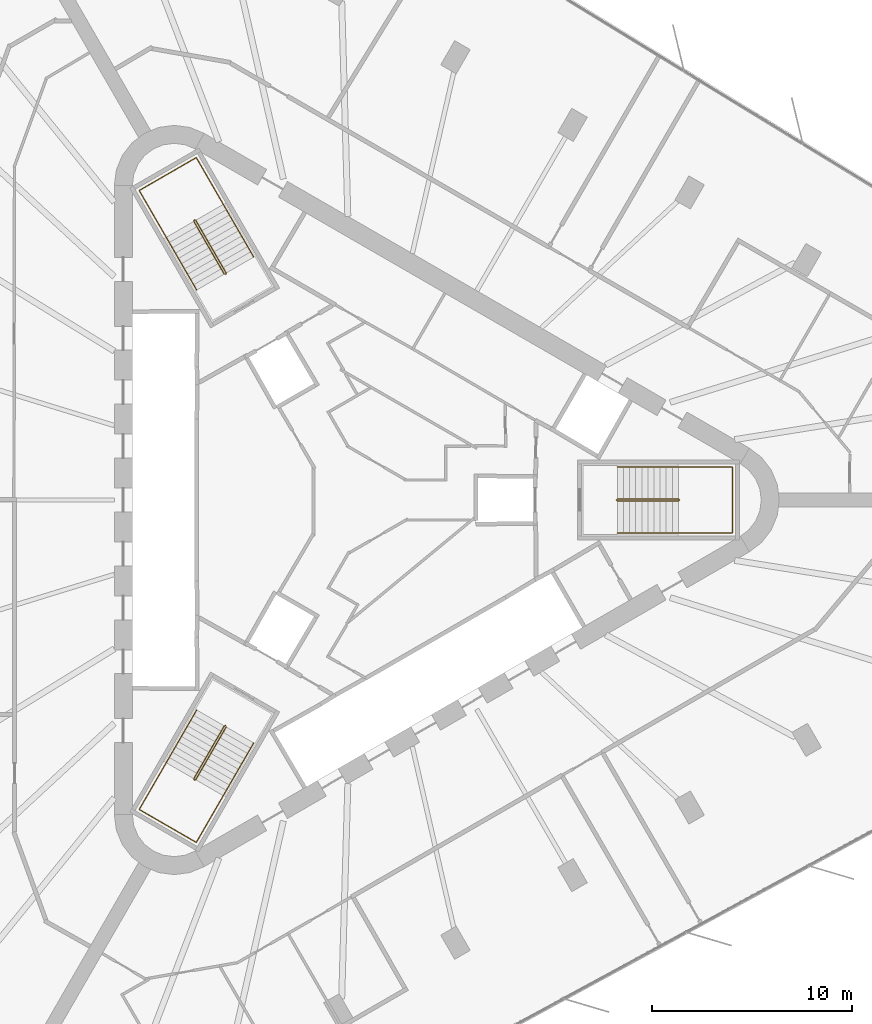
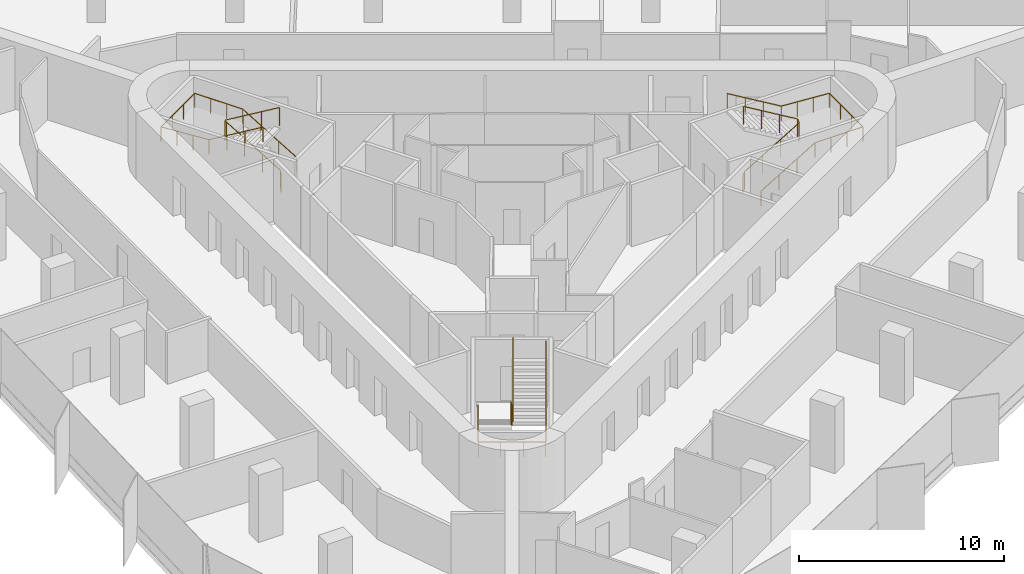
# One storey, part 14 of 14: 6 railings.
"""IFC4 building model written with IfcOpenShell, lengths in metres."""

from ifc_helpers import new_model, si_unit, direction, frame, origin, origin_2d, place, context, subcontext, project, spatial, circle, extrude, material, type_object, element, save


model = new_model("IFC4")

# Units and contexts
model_context = context("Model", 3, precision=1e-05, world=origin(), true_north=direction((0.0, 1.0)))
body_context = subcontext(model_context, "Body", "Model", "MODEL_VIEW")
ifc_project = project(units=[si_unit("LENGTHUNIT", "METRE"), si_unit("AREAUNIT", "SQUARE_METRE"), si_unit("VOLUMEUNIT", "CUBIC_METRE"), si_unit("PLANEANGLEUNIT", "RADIAN"), si_unit("MASSUNIT", "GRAM", prefix="KILO")], contexts=[model_context])

# Site, building, storey
site_placement = place(None, origin())
site = spatial("IfcSite", under=ifc_project, at=site_placement, CompositionType="ELEMENT")
building_placement = place(site_placement, origin())
building = spatial("IfcBuilding", under=site, at=building_placement, Name="Tanit Gate Tower", CompositionType="ELEMENT")
storey_placement = place(building_placement, frame((0.0, 0.0, 241.199951171875)))
storey = spatial("IfcBuildingStorey", under=building, at=storey_placement, Name="L54", CompositionType="ELEMENT", Elevation=241.199951171875)

# Railings
ifc_material_1 = material(Name="Stainless steel balustrade", Category="steel")
railing_type_1 = type_object("IfcRailingType", Name="INT-STAIR-GUARD", PredefinedType="GUARDRAIL", material=ifc_material_1)
railing_1_placement = place(storey_placement, frame((13.044921875, 0.0048828125, 0.0)))
element("IfcRailing", 1, at=railing_1_placement, inside=storey, type_object=railing_type_1, Name="L54 S1 stair guard 1", PredefinedType="GUARDRAIL", context=body_context, shape_type="SweptSolid", body=[
    extrude(circle(Radius=0.02392578125, at=origin_2d()), frame((0.0, 0.0, 1.076171875), z_axis=(0.0, -1.0, 0.0), x_axis=(1.0, 0.0, 0.0)), (0.0, 0.0, 1.0), 0.009765625),
    extrude(circle(Radius=0.02392578125, at=origin_2d()), frame((0.0, -0.009765625, 1.076171875), z_axis=(0.256435381639, -0.256435381639, 0.931923704005), x_axis=(0.707106781187, 0.707106781187, 0.0)), (0.0, 0.0, 1.0), 0.195068359375),
    extrude(circle(Radius=0.02392578125, at=origin_2d()), frame((0.050048828125, -0.059814453125, 1.2578125), z_axis=(0.859041732319, 0.0, 0.511905559781), x_axis=(0.0, 1.0, 0.0)), (0.0, 0.0, 1.0), 3.5517578125),
    extrude(circle(Radius=0.02392578125, at=origin_2d()), frame((3.10107421875, -0.059814453125, 3.076171875), z_axis=(0.707106781187, 0.707106781187, 0.0), x_axis=(-0.707106781187, 0.707106781187, 0.0)), (0.0, 0.0, 1.0), 0.07080078125),
    extrude(circle(Radius=0.02392578125, at=origin_2d()), frame((3.151123046875, -0.009765625, 3.076171875), z_axis=(0.0, 1.0, 0.0), x_axis=(-1.0, 0.0, 0.0)), (0.0, 0.0, 1.0), 0.009765625),
    extrude(circle(Radius=0.02392578125, at=origin_2d()), frame((3.151123046875, 0.0, 3.076171875), z_axis=(-0.256435381639, 0.256435381639, 0.931923704005), x_axis=(-0.707106781187, -0.707106781187, 0.0)), (0.0, 0.0, 1.0), 0.195068359375),
    extrude(circle(Radius=0.02392578125, at=origin_2d()), frame((3.10107421875, 0.050048828125, 3.2578125), z_axis=(-0.859041732319, 0.0, 0.511905559781), x_axis=(0.0, -1.0, 0.0)), (0.0, 0.0, 1.0), 3.5517578125),
    extrude(circle(Radius=0.02099609375, at=origin_2d()), origin(), (0.0, 0.0, 1.0), 1.052001953125),
    extrude(circle(Radius=0.02099609375, at=origin_2d()), frame((0.0, -0.009765625, 0.0)), (0.0, 0.0, 1.0), 1.052001953125),
    extrude(circle(Radius=0.02099609375, at=origin_2d()), frame((0.050048828125, -0.059814453125, 0.181884765625)), (0.0, 0.0, 1.0), 1.052001953125),
    extrude(circle(Radius=0.02099609375, at=origin_2d()), frame((1.067138671875, -0.059814453125, 0.787841796875)), (0.0, 0.0, 1.0), 1.052001953125),
    extrude(circle(Radius=0.02099609375, at=origin_2d()), frame((2.083984375, -0.059814453125, 1.39404296875)), (0.0, 0.0, 1.0), 1.052001953125),
    extrude(circle(Radius=0.02099609375, at=origin_2d()), frame((3.10107421875, -0.059814453125, 2.0)), (0.0, 0.0, 1.0), 1.052001953125),
    extrude(circle(Radius=0.02099609375, at=origin_2d()), frame((3.151123046875, -0.009765625, 2.0)), (0.0, 0.0, 1.0), 1.052001953125),
    extrude(circle(Radius=0.02099609375, at=origin_2d()), frame((3.151123046875, 0.0, 2.0)), (0.0, 0.0, 1.0), 1.052001953125),
    extrude(circle(Radius=0.02099609375, at=origin_2d()), frame((3.10107421875, 0.050048828125, 2.181884765625)), (0.0, 0.0, 1.0), 1.052001953125),
    extrude(circle(Radius=0.02099609375, at=origin_2d()), frame((2.083984375, 0.050048828125, 2.787841796875)), (0.0, 0.0, 1.0), 1.052001953125),
    extrude(circle(Radius=0.02099609375, at=origin_2d()), frame((1.067138671875, 0.050048828125, 3.39404296875)), (0.0, 0.0, 1.0), 1.052001953125),
    extrude(circle(Radius=0.02099609375, at=origin_2d()), frame((0.050048828125, 0.050048828125, 4.0)), (0.0, 0.0, 1.0), 1.052001953125),
])
railing_2_placement = place(storey_placement, frame((-6.527099609375, 11.29345703125, 0.0)))
element("IfcRailing", 2, at=railing_2_placement, inside=storey, type_object=railing_type_1, Name="L54 S2 stair guard 1", PredefinedType="GUARDRAIL", context=body_context, shape_type="SweptSolid", body=[
    extrude(circle(Radius=0.02392578125, at=origin_2d()), frame((0.0, 0.0, 1.076171875), z_axis=(0.868243142124, 0.496138938357, 0.0), x_axis=(-0.496138938357, 0.868243142124, 0.0)), (0.0, 0.0, 1.0), 0.01171875),
    extrude(circle(Radius=0.02392578125, at=origin_2d()), frame((0.01025390625, 0.005859375, 1.076171875), z_axis=(0.093819657636, 0.350260055175, 0.93194193252), x_axis=(-0.965948051503, 0.258736085224, 0.0)), (0.0, 0.0, 1.0), 0.195068359375),
    extrude(circle(Radius=0.02392578125, at=origin_2d()), frame((0.028564453125, 0.07421875, 1.2578125), z_axis=(-0.429472220917, 0.743822504634, 0.512134448226), x_axis=(-0.866012246495, -0.500022788402, 0.0)), (0.0, 0.0, 1.0), 3.550048828125),
    extrude(circle(Radius=0.02392578125, at=origin_2d()), frame((-1.49609375, 2.71484375, 3.076171875), z_axis=(-0.965715946433, 0.259601060869, 0.0), x_axis=(-0.259601060869, -0.965715946433, 0.0)), (0.0, 0.0, 1.0), 0.070556640625),
    extrude(circle(Radius=0.02392578125, at=origin_2d()), frame((-1.564208984375, 2.733154296875, 3.076171875), z_axis=(-0.873197702015, -0.487366159264, 0.0), x_axis=(0.487366159264, -0.873197702015, 0.0)), (0.0, 0.0, 1.0), 0.011962890625),
    extrude(circle(Radius=0.02392578125, at=origin_2d()), frame((-1.57470703125, 2.727294921875, 3.076171875), z_axis=(-0.093819657636, -0.350260055175, 0.93194193252), x_axis=(0.965948051503, -0.258736085224, 0.0)), (0.0, 0.0, 1.0), 0.195068359375),
    extrude(circle(Radius=0.02392578125, at=origin_2d()), frame((-1.593017578125, 2.658935546875, 3.2578125), z_axis=(0.429472220917, -0.743822504634, 0.512134448226), x_axis=(0.866012246495, 0.500022788402, 0.0)), (0.0, 0.0, 1.0), 3.550048828125),
    extrude(circle(Radius=0.02099609375, at=origin_2d()), origin(), (0.0, 0.0, 1.0), 1.052001953125),
    extrude(circle(Radius=0.02099609375, at=origin_2d()), frame((0.01025390625, 0.005859375, 0.0)), (0.0, 0.0, 1.0), 1.052001953125),
    extrude(circle(Radius=0.02099609375, at=origin_2d()), frame((0.028564453125, 0.07421875, 0.181884765625)), (0.0, 0.0, 1.0), 1.052001953125),
    extrude(circle(Radius=0.02099609375, at=origin_2d()), frame((-0.479736328125, 0.954345703125, 0.787841796875)), (0.0, 0.0, 1.0), 1.052001953125),
    extrude(circle(Radius=0.02099609375, at=origin_2d()), frame((-0.98779296875, 1.834716796875, 1.39404296875)), (0.0, 0.0, 1.0), 1.052001953125),
    extrude(circle(Radius=0.02099609375, at=origin_2d()), frame((-1.49609375, 2.71484375, 2.0)), (0.0, 0.0, 1.0), 1.052001953125),
    extrude(circle(Radius=0.02099609375, at=origin_2d()), frame((-1.564208984375, 2.733154296875, 2.0)), (0.0, 0.0, 1.0), 1.052001953125),
    extrude(circle(Radius=0.02099609375, at=origin_2d()), frame((-1.57470703125, 2.727294921875, 2.0)), (0.0, 0.0, 1.0), 1.052001953125),
    extrude(circle(Radius=0.02099609375, at=origin_2d()), frame((-1.593017578125, 2.658935546875, 2.181884765625)), (0.0, 0.0, 1.0), 1.052001953125),
    extrude(circle(Radius=0.02099609375, at=origin_2d()), frame((-1.084716796875, 1.77880859375, 2.787841796875)), (0.0, 0.0, 1.0), 1.052001953125),
    extrude(circle(Radius=0.02099609375, at=origin_2d()), frame((-0.57666015625, 0.8984375, 3.39404296875)), (0.0, 0.0, 1.0), 1.052001953125),
    extrude(circle(Radius=0.02099609375, at=origin_2d()), frame((-0.068359375, 0.018310546875, 4.0)), (0.0, 0.0, 1.0), 1.052001953125),
])
railing_3_placement = place(storey_placement, frame((-6.51806640625, -11.2998046875, 0.0)))
element("IfcRailing", 3, at=railing_3_placement, inside=storey, type_object=railing_type_1, Name="L54 S3 stair guard 1", PredefinedType="GUARDRAIL", context=body_context, shape_type="SweptSolid", body=[
    extrude(circle(Radius=0.02392578125, at=origin_2d()), frame((0.0, 0.0, 1.076171875), z_axis=(-0.874157276122, 0.485642931179, 0.0), x_axis=(-0.485642931179, -0.874157276122, 0.0)), (0.0, 0.0, 1.0), 0.010009765625),
    extrude(circle(Radius=0.02392578125, at=origin_2d()), frame((-0.0087890625, 0.0048828125, 1.076171875), z_axis=(-0.350300895388, -0.092579522353, 0.932050596658), x_axis=(0.255512919477, -0.966805641264, 0.0)), (0.0, 0.0, 1.0), 0.195068359375),
    extrude(circle(Radius=0.02392578125, at=origin_2d()), frame((-0.0771484375, -0.01318359375, 1.2578125), z_axis=(-0.429486674828, -0.743971555965, 0.511905772639), x_axis=(0.866048339477, -0.499960272111, 0.0)), (0.0, 0.0, 1.0), 3.5517578125),
    extrude(circle(Radius=0.02392578125, at=origin_2d()), frame((-1.6025390625, -2.655517578125, 3.076171875), z_axis=(0.258736085224, -0.965948051503, 0.0), x_axis=(0.965948051503, 0.258736085224, 0.0)), (0.0, 0.0, 1.0), 0.07080078125),
    extrude(circle(Radius=0.02392578125, at=origin_2d()), frame((-1.584228515625, -2.723876953125, 3.076171875), z_axis=(0.868243142124, -0.496138938357, 0.0), x_axis=(0.496138938357, 0.868243142124, 0.0)), (0.0, 0.0, 1.0), 0.009765625),
    extrude(circle(Radius=0.02392578125, at=origin_2d()), frame((-1.57568359375, -2.728759765625, 3.076171875), z_axis=(0.350260055175, 0.093819657636, 0.93194193252), x_axis=(-0.258736085224, 0.965948051503, 0.0)), (0.0, 0.0, 1.0), 0.195068359375),
    extrude(circle(Radius=0.02392578125, at=origin_2d()), frame((-1.50732421875, -2.71044921875, 3.2578125), z_axis=(0.429564698942, 0.743918894535, 0.511916836777), x_axis=(-0.865993683553, 0.500054937028, 0.0)), (0.0, 0.0, 1.0), 3.551513671875),
    extrude(circle(Radius=0.02099609375, at=origin_2d()), origin(), (0.0, 0.0, 1.0), 1.052001953125),
    extrude(circle(Radius=0.02099609375, at=origin_2d()), frame((-0.0087890625, 0.0048828125, 0.0)), (0.0, 0.0, 1.0), 1.052001953125),
    extrude(circle(Radius=0.02099609375, at=origin_2d()), frame((-0.0771484375, -0.01318359375, 0.181884765625)), (0.0, 0.0, 1.0), 1.052001953125),
    extrude(circle(Radius=0.02099609375, at=origin_2d()), frame((-0.585693359375, -0.89404296875, 0.787841796875)), (0.0, 0.0, 1.0), 1.052001953125),
    extrude(circle(Radius=0.02099609375, at=origin_2d()), frame((-1.093994140625, -1.774658203125, 1.39404296875)), (0.0, 0.0, 1.0), 1.052001953125),
    extrude(circle(Radius=0.02099609375, at=origin_2d()), frame((-1.6025390625, -2.655517578125, 2.0)), (0.0, 0.0, 1.0), 1.052001953125),
    extrude(circle(Radius=0.02099609375, at=origin_2d()), frame((-1.584228515625, -2.723876953125, 2.0)), (0.0, 0.0, 1.0), 1.052001953125),
    extrude(circle(Radius=0.02099609375, at=origin_2d()), frame((-1.57568359375, -2.728759765625, 2.0)), (0.0, 0.0, 1.0), 1.052001953125),
    extrude(circle(Radius=0.02099609375, at=origin_2d()), frame((-1.50732421875, -2.71044921875, 2.181884765625)), (0.0, 0.0, 1.0), 1.052001953125),
    extrude(circle(Radius=0.02099609375, at=origin_2d()), frame((-0.998779296875, -1.829833984375, 2.787841796875)), (0.0, 0.0, 1.0), 1.052001953125),
    extrude(circle(Radius=0.02099609375, at=origin_2d()), frame((-0.490234375, -0.948974609375, 3.39404296875)), (0.0, 0.0, 1.0), 1.052001953125),
    extrude(circle(Radius=0.02099609375, at=origin_2d()), frame((0.018310546875, -0.068359375, 4.0)), (0.0, 0.0, 1.0), 1.052001953125),
])
ifc_material_2 = material(Name="Stainless steel handrail", Category="steel")
railing_type_2 = type_object("IfcRailingType", Name="INT-STAIR-HANDRAIL", PredefinedType="HANDRAIL", material=ifc_material_2)
railing_4_placement = place(storey_placement, frame((13.094970703125, -1.64990234375, 0.181884765625)))
element("IfcRailing", 4, at=railing_4_placement, inside=storey, type_object=railing_type_2, Name="L54 S1 stair handrail 1", PredefinedType="HANDRAIL", context=body_context, shape_type="SweptSolid", body=[
    extrude(circle(Radius=0.02392578125, at=origin_2d()), frame((0.0, 0.0, 0.8759765625), z_axis=(0.859041732319, 0.0, 0.511905559781), x_axis=(0.0, 1.0, 0.0)), (0.0, 0.0, 1.0), 3.5517578125),
    extrude(circle(Radius=0.02392578125, at=origin_2d()), frame((3.051025390625, 0.0, 2.69384765625), z_axis=(1.0, 0.0, 0.0), x_axis=(0.0, 1.0, 0.0)), (0.0, 0.0, 1.0), 2.7041015625),
    extrude(circle(Radius=0.02392578125, at=origin_2d()), frame((5.755126953125, 0.0, 2.69384765625), z_axis=(0.0, 1.0, 0.0), x_axis=(-1.0, 0.0, 0.0)), (0.0, 0.0, 1.0), 3.2998046875),
    extrude(circle(Radius=0.02392578125, at=origin_2d()), frame((5.755126953125, 3.2998046875, 2.69384765625), z_axis=(-0.997745521698, 0.0, 0.067110907698), x_axis=(0.0, -1.0, 0.0)), (0.0, 0.0, 1.0), 2.710205078125),
    extrude(circle(Radius=0.02392578125, at=origin_2d()), frame((3.051025390625, 3.2998046875, 2.8759765625), z_axis=(-0.859041732319, 0.0, 0.511905559781), x_axis=(0.0, -1.0, 0.0)), (0.0, 0.0, 1.0), 3.5517578125),
    extrude(circle(Radius=0.02099609375, at=origin_2d()), origin(), (0.0, 0.0, 1.0), 0.851806640625),
    extrude(circle(Radius=0.02099609375, at=origin_2d()), frame((1.01708984375, 0.0, 0.60595703125)), (0.0, 0.0, 1.0), 0.851806640625),
    extrude(circle(Radius=0.02099609375, at=origin_2d()), frame((2.033935546875, 0.0, 1.212158203125)), (0.0, 0.0, 1.0), 0.851806640625),
    extrude(circle(Radius=0.02099609375, at=origin_2d()), frame((3.051025390625, 0.0, 1.818115234375)), (0.0, 0.0, 1.0), 0.851806640625),
    extrude(circle(Radius=0.02099609375, at=origin_2d()), frame((3.952392578125, 0.0, 1.818115234375)), (0.0, 0.0, 1.0), 0.851806640625),
    extrude(circle(Radius=0.02099609375, at=origin_2d()), frame((4.853759765625, 0.0, 1.818115234375)), (0.0, 0.0, 1.0), 0.851806640625),
    extrude(circle(Radius=0.02099609375, at=origin_2d()), frame((5.755126953125, 0.0, 1.818115234375)), (0.0, 0.0, 1.0), 0.851806640625),
    extrude(circle(Radius=0.02099609375, at=origin_2d()), frame((5.755126953125, 1.099853515625, 1.818115234375)), (0.0, 0.0, 1.0), 0.851806640625),
    extrude(circle(Radius=0.02099609375, at=origin_2d()), frame((5.755126953125, 2.199951171875, 1.818115234375)), (0.0, 0.0, 1.0), 0.851806640625),
    extrude(circle(Radius=0.02099609375, at=origin_2d()), frame((5.755126953125, 3.2998046875, 1.818115234375)), (0.0, 0.0, 1.0), 0.851806640625),
    extrude(circle(Radius=0.02099609375, at=origin_2d()), frame((4.853759765625, 3.2998046875, 1.878662109375)), (0.0, 0.0, 1.0), 0.851806640625),
    extrude(circle(Radius=0.02099609375, at=origin_2d()), frame((3.952392578125, 3.2998046875, 1.939453125)), (0.0, 0.0, 1.0), 0.851806640625),
    extrude(circle(Radius=0.02099609375, at=origin_2d()), frame((3.051025390625, 3.2998046875, 2.0)), (0.0, 0.0, 1.0), 0.851806640625),
    extrude(circle(Radius=0.02099609375, at=origin_2d()), frame((2.033935546875, 3.2998046875, 2.60595703125)), (0.0, 0.0, 1.0), 0.851806640625),
    extrude(circle(Radius=0.02099609375, at=origin_2d()), frame((1.01708984375, 3.2998046875, 3.212158203125)), (0.0, 0.0, 1.0), 0.851806640625),
    extrude(circle(Radius=0.02099609375, at=origin_2d()), frame((0.0, 3.2998046875, 3.818115234375)), (0.0, 0.0, 1.0), 0.851806640625),
])
railing_5_placement = place(storey_placement, frame((-5.1181640625, 12.164794921875, 0.181884765625)))
element("IfcRailing", 5, at=railing_5_placement, inside=storey, type_object=railing_type_2, Name="L54 S2 stair handrail 1", PredefinedType="HANDRAIL", context=body_context, shape_type="SweptSolid", body=[
    extrude(circle(Radius=0.02392578125, at=origin_2d()), frame((0.0, 0.0, 0.8759765625), z_axis=(-0.429416132344, 0.743844472684, 0.512149573602), x_axis=(-0.866046917185, -0.499962735845, 0.0)), (0.0, 0.0, 1.0), 3.550048828125),
    extrude(circle(Radius=0.02392578125, at=origin_2d()), frame((-1.5244140625, 2.640625, 2.69384765625), z_axis=(-0.500019123664, 0.86601436245, 0.0), x_axis=(-0.86601436245, -0.500019123664, 0.0)), (0.0, 0.0, 1.0), 2.70703125),
    extrude(circle(Radius=0.02392578125, at=origin_2d()), frame((-2.8779296875, 4.98486328125, 2.69384765625), z_axis=(-0.866008176907, -0.50002983664, 0.0), x_axis=(0.50002983664, -0.866008176907, 0.0)), (0.0, 0.0, 1.0), 3.300048828125),
    extrude(circle(Radius=0.02392578125, at=origin_2d()), frame((-5.73583984375, 3.334716796875, 2.69384765625), z_axis=(0.498932980467, -0.864043208057, 0.067046369128), x_axis=(0.865991810323, 0.500058181068, 0.0)), (0.0, 0.0, 1.0), 2.712890625),
    extrude(circle(Radius=0.02392578125, at=origin_2d()), frame((-4.38232421875, 0.99072265625, 2.8759765625), z_axis=(0.429450252752, -0.743853224023, 0.512108251761), x_axis=(0.866032263162, 0.499988119021, 0.0)), (0.0, 0.0, 1.0), 3.55029296875),
    extrude(circle(Radius=0.02099609375, at=origin_2d()), origin(), (0.0, 0.0, 1.0), 0.851806640625),
    extrude(circle(Radius=0.02099609375, at=origin_2d()), frame((-0.508056640625, 0.880126953125, 0.60595703125)), (0.0, 0.0, 1.0), 0.851806640625),
    extrude(circle(Radius=0.02099609375, at=origin_2d()), frame((-1.016357421875, 1.760498046875, 1.212158203125)), (0.0, 0.0, 1.0), 0.851806640625),
    extrude(circle(Radius=0.02099609375, at=origin_2d()), frame((-1.5244140625, 2.640625, 1.818115234375)), (0.0, 0.0, 1.0), 0.851806640625),
    extrude(circle(Radius=0.02099609375, at=origin_2d()), frame((-1.9755859375, 3.422119140625, 1.818115234375)), (0.0, 0.0, 1.0), 0.851806640625),
    extrude(circle(Radius=0.02099609375, at=origin_2d()), frame((-2.4267578125, 4.203369140625, 1.818115234375)), (0.0, 0.0, 1.0), 0.851806640625),
    extrude(circle(Radius=0.02099609375, at=origin_2d()), frame((-2.8779296875, 4.98486328125, 1.818115234375)), (0.0, 0.0, 1.0), 0.851806640625),
    extrude(circle(Radius=0.02099609375, at=origin_2d()), frame((-3.83056640625, 4.434814453125, 1.818115234375)), (0.0, 0.0, 1.0), 0.851806640625),
    extrude(circle(Radius=0.02099609375, at=origin_2d()), frame((-4.783203125, 3.884765625, 1.818115234375)), (0.0, 0.0, 1.0), 0.851806640625),
    extrude(circle(Radius=0.02099609375, at=origin_2d()), frame((-5.73583984375, 3.334716796875, 1.818115234375)), (0.0, 0.0, 1.0), 0.851806640625),
    extrude(circle(Radius=0.02099609375, at=origin_2d()), frame((-5.28466796875, 2.553466796875, 1.878662109375)), (0.0, 0.0, 1.0), 0.851806640625),
    extrude(circle(Radius=0.02099609375, at=origin_2d()), frame((-4.83349609375, 1.77197265625, 1.939453125)), (0.0, 0.0, 1.0), 0.851806640625),
    extrude(circle(Radius=0.02099609375, at=origin_2d()), frame((-4.38232421875, 0.99072265625, 2.0)), (0.0, 0.0, 1.0), 0.851806640625),
    extrude(circle(Radius=0.02099609375, at=origin_2d()), frame((-3.8740234375, 0.1103515625, 2.60595703125)), (0.0, 0.0, 1.0), 0.851806640625),
    extrude(circle(Radius=0.02099609375, at=origin_2d()), frame((-3.365966796875, -0.769775390625, 3.212158203125)), (0.0, 0.0, 1.0), 0.851806640625),
    extrude(circle(Radius=0.02099609375, at=origin_2d()), frame((-2.857666015625, -1.650146484375, 3.818115234375)), (0.0, 0.0, 1.0), 0.851806640625),
])
railing_6_placement = place(storey_placement, frame((-7.9765625, -10.515625, 0.181884765625)))
element("IfcRailing", 6, at=railing_6_placement, inside=storey, type_object=railing_type_2, Name="L54 S3 stair handrail 1", PredefinedType="HANDRAIL", context=body_context, shape_type="SweptSolid", body=[
    extrude(circle(Radius=0.02392578125, at=origin_2d()), frame((0.0, 0.0, 0.8759765625), z_axis=(-0.429486674828, -0.743971555965, 0.511905772639), x_axis=(0.866048339477, -0.499960272111, 0.0)), (0.0, 0.0, 1.0), 3.5517578125),
    extrude(circle(Radius=0.02392578125, at=origin_2d()), frame((-1.525390625, -2.642333984375, 2.69384765625), z_axis=(-0.50004290449, -0.866000631449, 0.0), x_axis=(0.866000631449, -0.50004290449, 0.0)), (0.0, 0.0, 1.0), 2.703857421875),
    extrude(circle(Radius=0.02392578125, at=origin_2d()), frame((-2.87744140625, -4.98388671875, 2.69384765625), z_axis=(0.866008176907, -0.50002983664, 0.0), x_axis=(0.50002983664, 0.866008176907, 0.0)), (0.0, 0.0, 1.0), 3.300048828125),
    extrude(circle(Radius=0.02392578125, at=origin_2d()), frame((-0.01953125, -6.634033203125, 2.69384765625), z_axis=(0.498876541924, 0.864070745781, 0.067111416348), x_axis=(-0.866023205937, 0.500003806764, 0.0)), (0.0, 0.0, 1.0), 2.710205078125),
    extrude(circle(Radius=0.02392578125, at=origin_2d()), frame((1.33251953125, -4.292236328125, 2.8759765625), z_axis=(0.429486674828, 0.743971555965, 0.511905772639), x_axis=(-0.866048339477, 0.499960272111, 0.0)), (0.0, 0.0, 1.0), 3.5517578125),
    extrude(circle(Radius=0.02099609375, at=origin_2d()), origin(), (0.0, 0.0, 1.0), 0.851806640625),
    extrude(circle(Radius=0.02099609375, at=origin_2d()), frame((-0.508544921875, -0.880859375, 0.60595703125)), (0.0, 0.0, 1.0), 0.851806640625),
    extrude(circle(Radius=0.02099609375, at=origin_2d()), frame((-1.016845703125, -1.761474609375, 1.212158203125)), (0.0, 0.0, 1.0), 0.851806640625),
    extrude(circle(Radius=0.02099609375, at=origin_2d()), frame((-1.525390625, -2.642333984375, 1.818115234375)), (0.0, 0.0, 1.0), 0.851806640625),
    extrude(circle(Radius=0.02099609375, at=origin_2d()), frame((-1.97607421875, -3.4228515625, 1.818115234375)), (0.0, 0.0, 1.0), 0.851806640625),
    extrude(circle(Radius=0.02099609375, at=origin_2d()), frame((-2.4267578125, -4.203369140625, 1.818115234375)), (0.0, 0.0, 1.0), 0.851806640625),
    extrude(circle(Radius=0.02099609375, at=origin_2d()), frame((-2.87744140625, -4.98388671875, 1.818115234375)), (0.0, 0.0, 1.0), 0.851806640625),
    extrude(circle(Radius=0.02099609375, at=origin_2d()), frame((-1.9248046875, -5.533935546875, 1.818115234375)), (0.0, 0.0, 1.0), 0.851806640625),
    extrude(circle(Radius=0.02099609375, at=origin_2d()), frame((-0.97216796875, -6.083984375, 1.818115234375)), (0.0, 0.0, 1.0), 0.851806640625),
    extrude(circle(Radius=0.02099609375, at=origin_2d()), frame((-0.01953125, -6.634033203125, 1.818115234375)), (0.0, 0.0, 1.0), 0.851806640625),
    extrude(circle(Radius=0.02099609375, at=origin_2d()), frame((0.43115234375, -5.853515625, 1.878662109375)), (0.0, 0.0, 1.0), 0.851806640625),
    extrude(circle(Radius=0.02099609375, at=origin_2d()), frame((0.8818359375, -5.07275390625, 1.939453125)), (0.0, 0.0, 1.0), 0.851806640625),
    extrude(circle(Radius=0.02099609375, at=origin_2d()), frame((1.33251953125, -4.292236328125, 2.0)), (0.0, 0.0, 1.0), 0.851806640625),
    extrude(circle(Radius=0.02099609375, at=origin_2d()), frame((1.841064453125, -3.411376953125, 2.60595703125)), (0.0, 0.0, 1.0), 0.851806640625),
    extrude(circle(Radius=0.02099609375, at=origin_2d()), frame((2.349365234375, -2.53076171875, 3.212158203125)), (0.0, 0.0, 1.0), 0.851806640625),
    extrude(circle(Radius=0.02099609375, at=origin_2d()), frame((2.85791015625, -1.64990234375, 3.818115234375)), (0.0, 0.0, 1.0), 0.851806640625),
])

save(model, "model.ifc")
